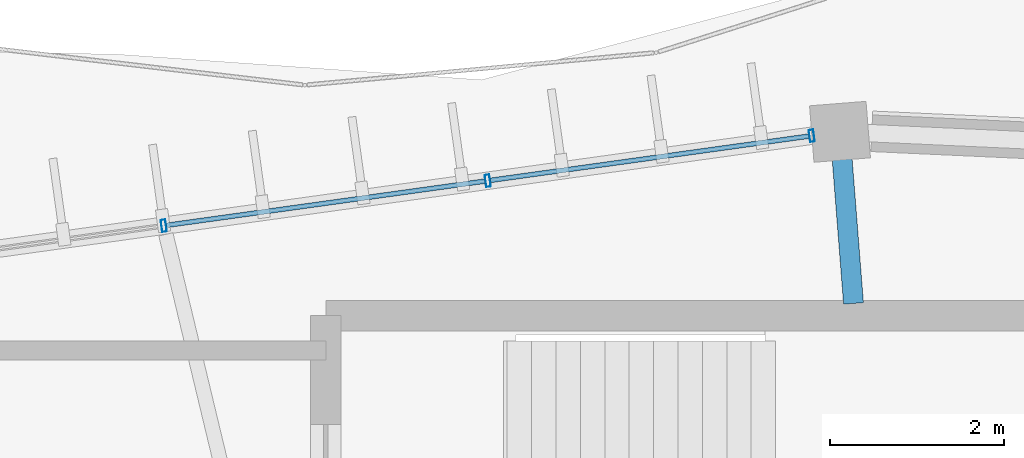
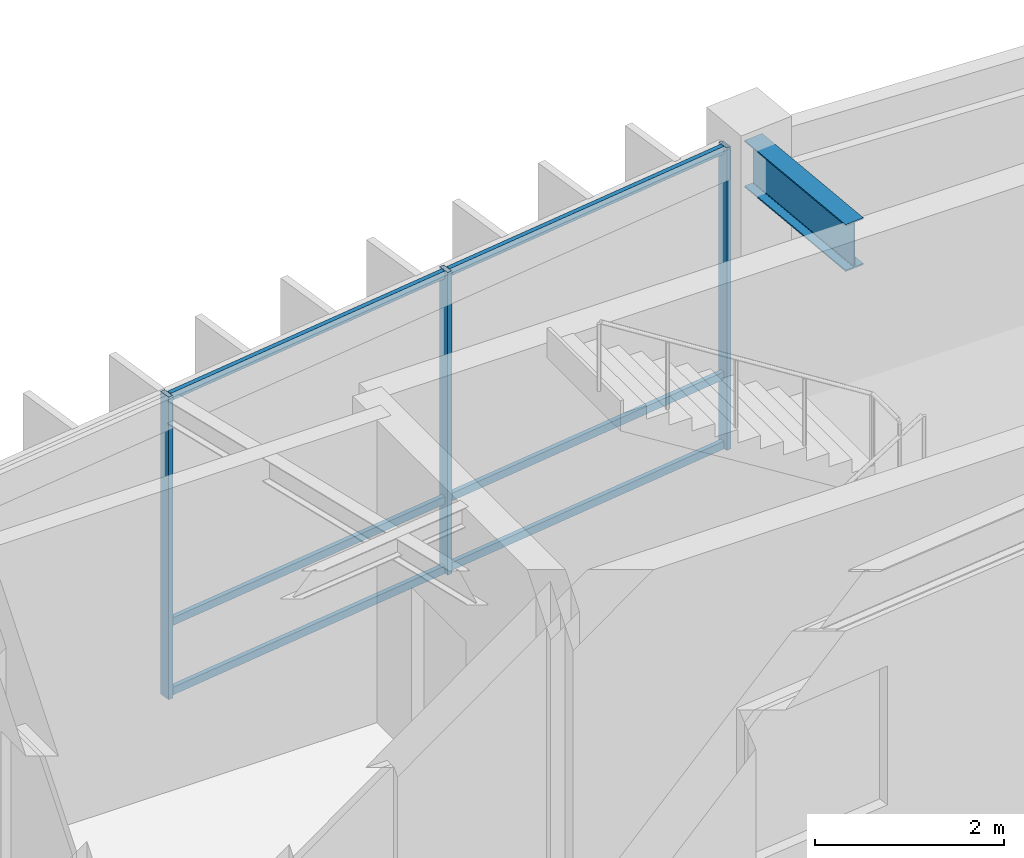
# One storey, part 62 of 114: 9 members, 1 beam, 1 element without a shape of its own.
"""IFC4 building model written with IfcOpenShell, lengths in metres."""

from ifc_helpers import new_model, si_unit, direction, frame, origin, origin_2d, place, context, subcontext, project, spatial, hollow_rectangle, i_section, extrude, material, material_profile, profile_set, type_object, element, aggregate, save


model = new_model("IFC4")

# Units and contexts
model_context = context("Model", 3, precision=1e-05, world=origin(), true_north=direction((0.0, 1.0)))
body_context = subcontext(model_context, "Body", "Model", "MODEL_VIEW")
ifc_project = project(units=[si_unit("LENGTHUNIT", "METRE"), si_unit("AREAUNIT", "SQUARE_METRE"), si_unit("VOLUMEUNIT", "CUBIC_METRE"), si_unit("PLANEANGLEUNIT", "RADIAN"), si_unit("MASSUNIT", "GRAM", prefix="KILO"), si_unit("THERMODYNAMICTEMPERATUREUNIT", "KELVIN"), si_unit("POWERUNIT", "WATT")], contexts=[model_context])

# Site, building, storey
site_placement = place(None, origin())
site = spatial("IfcSite", under=ifc_project, at=site_placement, CompositionType="ELEMENT")
building_placement = place(site_placement, origin())
building = spatial("IfcBuilding", under=site, at=building_placement, Name="Darbajah Civic Hall", CompositionType="ELEMENT")
storey_placement = place(building_placement, frame((0.0, 0.0, 13.800048828125)))
storey = spatial("IfcBuildingStorey", under=building, at=storey_placement, Name="L03", CompositionType="ELEMENT", Elevation=13.800048828125)

# Curtain wall, members
ifc_material_1 = material(Name="Anodised Bronze Aluminium and Low-E Glazing", Category="aluminium")
curtain_wall_type = type_object("IfcCurtainWallType", Name="Unitised Curtain Wall CW-42 15000x3900", PredefinedType="USERDEFINED", material=ifc_material_1)
curtain_wall_placement = place(storey_placement, origin())
curtain_wall = element("IfcCurtainWall", 1, at=curtain_wall_placement, inside=storey, type_object=curtain_wall_type, Name="L03 unitised curtain wall CW-V1O-L03-05", ObjectType="UNITISED CURTAIN WALL", PredefinedType="USERDEFINED")
ifc_material_2 = material(Name="Anodised Bronze Aluminium", Category="aluminium")
ifc_material_profile_1 = material_profile(ifc_material_2, hollow_rectangle(XDim=0.054931640625, YDim=0.139892578125, WallThickness=0.003173828125, at=origin_2d()), Name="ALU MULLION 55x140")
ifc_profile_set_1 = profile_set([ifc_material_profile_1], Name="Anodised Bronze Aluminium")
member_type_1 = type_object("IfcMemberType", Name="ALU MULLION 55x140", PredefinedType="MULLION", material=ifc_profile_set_1)
member_1_placement = place(storey_placement, frame((84.774658203125, 119.1640625, 0.0), z_axis=(0.0, 0.0, 1.0), x_axis=(-0.990485459553, -0.137617420457, 0.0)))
member_1 = element("IfcMember", 2, at=member_1_placement, type_object=member_type_1, Name="CW-V1O-L03-05 mullion 1", PredefinedType="MULLION", context=body_context, shape_type="SweptSolid", body=[
    extrude(hollow_rectangle(XDim=0.054931640625, YDim=0.139892578125, WallThickness=0.003173828125, at=origin_2d()), origin(), (0.0, 0.0, 1.0), 3.919921875),
])
member_2_placement = place(storey_placement, frame((81.057861328125, 118.64794921875, 0.0), z_axis=(0.0, 0.0, 1.0), x_axis=(-0.990485459553, -0.137617420457, 0.0)))
member_2 = element("IfcMember", 3, at=member_2_placement, type_object=member_type_1, Name="CW-V1O-L03-05 mullion 2", PredefinedType="MULLION", context=body_context, shape_type="SweptSolid", body=[
    extrude(hollow_rectangle(XDim=0.054931640625, YDim=0.139892578125, WallThickness=0.003173828125, at=origin_2d()), origin(), (0.0, 0.0, 1.0), 3.919921875),
])
member_3_placement = place(storey_placement, frame((77.3408203125, 118.1318359375, 0.0), z_axis=(0.0, 0.0, 1.0), x_axis=(-0.990485459553, -0.137617420457, 0.0)))
member_3 = element("IfcMember", 4, at=member_3_placement, type_object=member_type_1, Name="CW-V1O-L03-05 mullion 3", PredefinedType="MULLION", context=body_context, shape_type="SweptSolid", body=[
    extrude(hollow_rectangle(XDim=0.054931640625, YDim=0.139892578125, WallThickness=0.003173828125, at=origin_2d()), origin(), (0.0, 0.0, 1.0), 3.919921875),
])
ifc_material_profile_2 = material_profile(ifc_material_2, hollow_rectangle(XDim=0.054931640625, YDim=0.10009765625, WallThickness=0.0029296875, at=origin_2d()), Name="ALU TRANSOM 55x100")
ifc_profile_set_2 = profile_set([ifc_material_profile_2], Name="Anodised Bronze Aluminium")
member_type_2 = type_object("IfcMemberType", Name="ALU TRANSOM 55x100", PredefinedType="USERDEFINED", material=ifc_profile_set_2)
member_4_placement = place(storey_placement, frame((84.742431640625, 119.15966796875, 0.050048828125), z_axis=(-0.990490268251, -0.137582805978, 0.0), x_axis=(0.137582805978, -0.990490268251, 0.0)))
member_4 = element("IfcMember", 5, at=member_4_placement, type_object=member_type_2, Name="CW-V1O-L03-05 transom 1.1", ObjectType="TRANSOM", PredefinedType="USERDEFINED", context=body_context, shape_type="SweptSolid", body=[
    extrude(hollow_rectangle(XDim=0.054931640625, YDim=0.10009765625, WallThickness=0.0029296875, at=origin_2d()), origin(), (0.0, 0.0, 1.0), 3.6875),
])
member_5_placement = place(storey_placement, frame((84.742431640625, 119.15966796875, 0.949951171875), z_axis=(-0.990490268251, -0.137582805978, 0.0), x_axis=(0.137582805978, -0.990490268251, 0.0)))
member_5 = element("IfcMember", 6, at=member_5_placement, type_object=member_type_2, Name="CW-V1O-L03-05 transom 1.2", ObjectType="TRANSOM", PredefinedType="USERDEFINED", context=body_context, shape_type="SweptSolid", body=[
    extrude(hollow_rectangle(XDim=0.054931640625, YDim=0.10009765625, WallThickness=0.0029296875, at=origin_2d()), origin(), (0.0, 0.0, 1.0), 3.6875),
])
member_6_placement = place(storey_placement, frame((84.742431640625, 119.15966796875, 3.869873046875), z_axis=(-0.990490268251, -0.137582805978, 0.0), x_axis=(0.137582805978, -0.990490268251, 0.0)))
member_6 = element("IfcMember", 7, at=member_6_placement, type_object=member_type_2, Name="CW-V1O-L03-05 transom 1.3", ObjectType="TRANSOM", PredefinedType="USERDEFINED", context=body_context, shape_type="SweptSolid", body=[
    extrude(hollow_rectangle(XDim=0.054931640625, YDim=0.10009765625, WallThickness=0.0029296875, at=origin_2d()), origin(), (0.0, 0.0, 1.0), 3.6875),
])
member_7_placement = place(storey_placement, frame((81.025634765625, 118.6435546875, 0.050048828125), z_axis=(-0.990491521404, -0.137573783937, 0.0), x_axis=(0.137573783937, -0.990491521404, 0.0)))
member_7 = element("IfcMember", 8, at=member_7_placement, type_object=member_type_2, Name="CW-V1O-L03-05 transom 2.1", ObjectType="TRANSOM", PredefinedType="USERDEFINED", context=body_context, shape_type="SweptSolid", body=[
    extrude(hollow_rectangle(XDim=0.054931640625, YDim=0.10009765625, WallThickness=0.0029296875, at=origin_2d()), origin(), (0.0, 0.0, 1.0), 3.687744140625),
])
member_8_placement = place(storey_placement, frame((81.025634765625, 118.6435546875, 0.949951171875), z_axis=(-0.990491521404, -0.137573783937, 0.0), x_axis=(0.137573783937, -0.990491521404, 0.0)))
member_8 = element("IfcMember", 9, at=member_8_placement, type_object=member_type_2, Name="CW-V1O-L03-05 transom 2.2", ObjectType="TRANSOM", PredefinedType="USERDEFINED", context=body_context, shape_type="SweptSolid", body=[
    extrude(hollow_rectangle(XDim=0.054931640625, YDim=0.10009765625, WallThickness=0.0029296875, at=origin_2d()), origin(), (0.0, 0.0, 1.0), 3.687744140625),
])
member_9_placement = place(storey_placement, frame((81.025634765625, 118.6435546875, 3.869873046875), z_axis=(-0.990491521404, -0.137573783937, 0.0), x_axis=(0.137573783937, -0.990491521404, 0.0)))
member_9 = element("IfcMember", 10, at=member_9_placement, type_object=member_type_2, Name="CW-V1O-L03-05 transom 2.3", ObjectType="TRANSOM", PredefinedType="USERDEFINED", context=body_context, shape_type="SweptSolid", body=[
    extrude(hollow_rectangle(XDim=0.054931640625, YDim=0.10009765625, WallThickness=0.0029296875, at=origin_2d()), origin(), (0.0, 0.0, 1.0), 3.687744140625),
])
aggregate(curtain_wall, [member_1, member_2, member_3, member_4, member_5, member_6, member_7, member_8, member_9])

# Beam
ifc_material_3 = material(Name="Steel S355JR", Category="steel")
ifc_material_profile_3 = material_profile(ifc_material_3, i_section(OverallWidth=0.228271484375, OverallDepth=0.607666015625, WebThickness=0.010986328125, FlangeThickness=0.017333984375, FilletRadius=0.0126953125, at=origin_2d()), Name="UB 610x229x113")
ifc_profile_set_3 = profile_set([ifc_material_profile_3], Name="Steel S355JR")
beam_type = type_object("IfcBeamType", Name="UB 610x229x113", PredefinedType="BEAM", material=ifc_profile_set_3)
beam_placement = place(storey_placement, frame((85.253662109375, 117.239990234375, 3.6162109375), z_axis=(-0.078449812785, 0.996918064273, 0.0), x_axis=(-0.996918064273, -0.078449812785, 0.0)))
element("IfcBeam", 11, at=beam_placement, inside=storey, type_object=beam_type, Name="L03 beam SB-610", PredefinedType="BEAM", context=body_context, shape_type="SweptSolid", body=[
    extrude(i_section(OverallWidth=0.228271484375, OverallDepth=0.607666015625, WebThickness=0.010986328125, FlangeThickness=0.017333984375, FilletRadius=0.0126953125, at=origin_2d()), origin(), (0.0, 0.0, 1.0), 1.895263671875),
])

save(model, "model.ifc")
